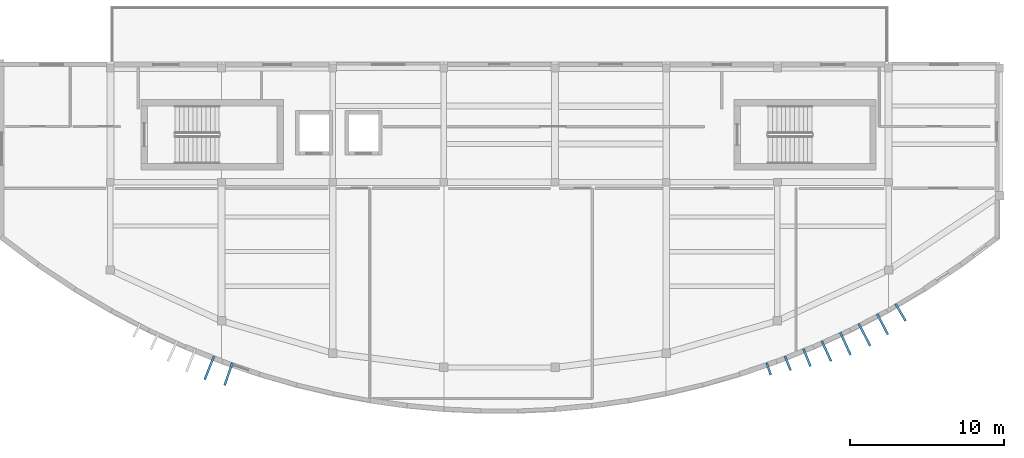
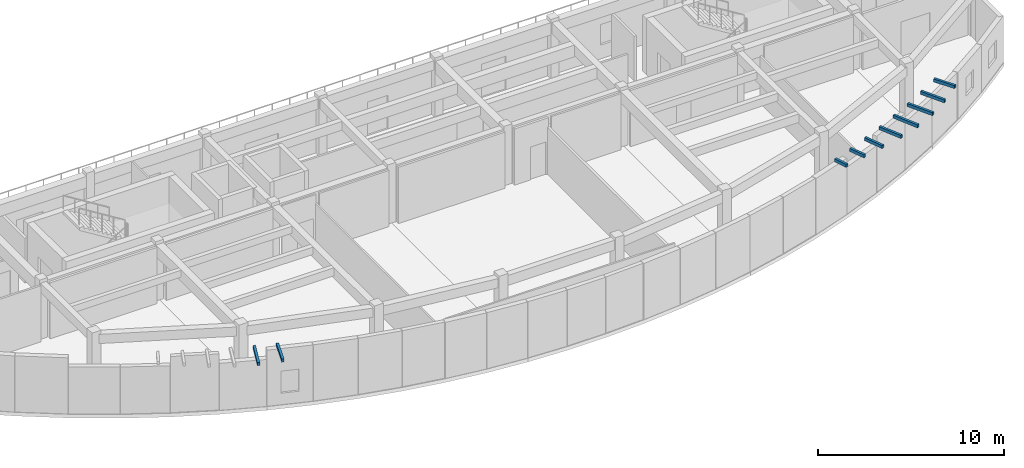
# One storey, part 8 of 11: 10 discrete accessories.
"""IFC4 building model written with IfcOpenShell, lengths in metres."""

from ifc_helpers import new_model, si_unit, direction, frame, origin, origin_2d, place, context, subcontext, project, spatial, rectangle, extrude, material, type_object, element, save


model = new_model("IFC4")

# Units and contexts
model_context = context("Model", 3, precision=1e-05, world=origin(), true_north=direction((0.0, 1.0)))
body_context = subcontext(model_context, "Body", "Model", "MODEL_VIEW")
ifc_project = project(units=[si_unit("LENGTHUNIT", "METRE"), si_unit("AREAUNIT", "SQUARE_METRE"), si_unit("VOLUMEUNIT", "CUBIC_METRE"), si_unit("PLANEANGLEUNIT", "RADIAN"), si_unit("MASSUNIT", "GRAM", prefix="KILO")], contexts=[model_context])

# Site, building, storey
site_placement = place(None, origin())
site = spatial("IfcSite", under=ifc_project, at=site_placement, CompositionType="ELEMENT")
building_placement = place(site_placement, origin())
building = spatial("IfcBuilding", under=site, at=building_placement, Name="Brisavento Harbour Community Centre", CompositionType="ELEMENT")
storey_placement = place(building_placement, frame((0.0, 0.0, 16.800048828125)))
storey = spatial("IfcBuildingStorey", under=building, at=storey_placement, Name="L04", CompositionType="ELEMENT", Elevation=16.800048828125)

# Discrete accessories
ifc_material = material(Name="Stainless steel 1.4401", Category="steel")
discrete_accessory_type = type_object("IfcDiscreteAccessoryType", Name="BRK-FIN-SS", PredefinedType="BRACKET", material=ifc_material)
discrete_accessory_1_placement = place(storey_placement, frame((121.6103515625, 2.976318359375, 3.68017578125), z_axis=(0.0, 0.0, 1.0), x_axis=(-0.369341311525, -0.92929381554, 0.0)))
element("IfcDiscreteAccessory", 1, at=discrete_accessory_1_placement, inside=storey, type_object=discrete_accessory_type, Name="Stainless-steel storm-fin bracket 105.6", PredefinedType="BRACKET", context=body_context, shape_type="SweptSolid", body=[
    extrude(rectangle(XDim=1.626220703125, YDim=0.139892578125, at=origin_2d()), origin(), (0.0, 0.0, 1.0), 0.199951171875),
])
discrete_accessory_2_placement = place(storey_placement, frame((122.849365234375, 2.568603515625, 3.68017578125), z_axis=(0.0, 0.0, 1.0), x_axis=(-0.323174264667, -0.94633947115, 0.0)))
element("IfcDiscreteAccessory", 2, at=discrete_accessory_2_placement, inside=storey, type_object=discrete_accessory_type, Name="Stainless-steel storm-fin bracket 106.6", PredefinedType="BRACKET", context=body_context, shape_type="SweptSolid", body=[
    extrude(rectangle(XDim=1.53271484375, YDim=0.139892578125, at=origin_2d()), origin(), (0.0, 0.0, 1.0), 0.199951171875),
])
discrete_accessory_3_placement = place(storey_placement, frame((157.83642578125, 2.903076171875, 3.68017578125), z_axis=(0.0, 0.0, 1.0), x_axis=(0.323174264667, -0.94633947115, 0.0)))
element("IfcDiscreteAccessory", 3, at=discrete_accessory_3_placement, inside=storey, type_object=discrete_accessory_type, Name="Stainless-steel storm-fin bracket 131.6", PredefinedType="BRACKET", context=body_context, shape_type="SweptSolid", body=[
    extrude(rectangle(XDim=0.82568359375, YDim=0.139892578125, at=origin_2d()), origin(), (0.0, 0.0, 1.0), 0.199951171875),
])
discrete_accessory_4_placement = place(storey_placement, frame((159.071044921875, 3.2744140625, 3.68017578125), z_axis=(0.0, 0.0, 1.0), x_axis=(0.369341311525, -0.92929381554, 0.0)))
element("IfcDiscreteAccessory", 4, at=discrete_accessory_4_placement, inside=storey, type_object=discrete_accessory_type, Name="Stainless-steel storm-fin bracket 132.6", PredefinedType="BRACKET", context=body_context, shape_type="SweptSolid", body=[
    extrude(rectangle(XDim=0.98486328125, YDim=0.139892578125, at=origin_2d()), origin(), (0.0, 0.0, 1.0), 0.199951171875),
])
discrete_accessory_5_placement = place(storey_placement, frame((160.313232421875, 3.645263671875, 3.68017578125), z_axis=(0.0, 0.0, 1.0), x_axis=(0.369341311525, -0.92929381554, 0.0)))
element("IfcDiscreteAccessory", 5, at=discrete_accessory_5_placement, inside=storey, type_object=discrete_accessory_type, Name="Stainless-steel storm-fin bracket 133.6", PredefinedType="BRACKET", context=body_context, shape_type="SweptSolid", body=[
    extrude(rectangle(XDim=1.212890625, YDim=0.139892578125, at=origin_2d()), origin(), (0.0, 0.0, 1.0), 0.199951171875),
])
discrete_accessory_6_placement = place(storey_placement, frame((161.57470703125, 4.060302734375, 3.68017578125), z_axis=(0.0, 0.0, 1.0), x_axis=(0.415518926407, -0.909584532519, 0.0)))
element("IfcDiscreteAccessory", 6, at=discrete_accessory_6_placement, inside=storey, type_object=discrete_accessory_type, Name="Stainless-steel storm-fin bracket 134.6", PredefinedType="BRACKET", context=body_context, shape_type="SweptSolid", body=[
    extrude(rectangle(XDim=1.44091796875, YDim=0.139892578125, at=origin_2d()), origin(), (0.0, 0.0, 1.0), 0.199951171875),
])
discrete_accessory_7_placement = place(storey_placement, frame((162.806884765625, 4.538330078125, 3.68017578125), z_axis=(0.0, 0.0, 1.0), x_axis=(0.415518926407, -0.909584532519, 0.0)))
element("IfcDiscreteAccessory", 7, at=discrete_accessory_7_placement, inside=storey, type_object=discrete_accessory_type, Name="Stainless-steel storm-fin bracket 135.6", PredefinedType="BRACKET", context=body_context, shape_type="SweptSolid", body=[
    extrude(rectangle(XDim=1.59521484375, YDim=0.139892578125, at=origin_2d()), origin(), (0.0, 0.0, 1.0), 0.199951171875),
])
discrete_accessory_8_placement = place(storey_placement, frame((164.036376953125, 5.123291015625, 3.68017578125), z_axis=(0.0, 0.0, 1.0), x_axis=(0.461702168823, -0.887035009063, 0.0)))
element("IfcDiscreteAccessory", 8, at=discrete_accessory_8_placement, inside=storey, type_object=discrete_accessory_type, Name="Stainless-steel storm-fin bracket 136.6", PredefinedType="BRACKET", context=body_context, shape_type="SweptSolid", body=[
    extrude(rectangle(XDim=1.623291015625, YDim=0.139892578125, at=origin_2d()), origin(), (0.0, 0.0, 1.0), 0.199951171875),
])
discrete_accessory_9_placement = place(storey_placement, frame((165.210205078125, 5.7978515625, 3.68017578125), z_axis=(0.0, 0.0, 1.0), x_axis=(0.461702168823, -0.887035009063, 0.0)))
element("IfcDiscreteAccessory", 9, at=discrete_accessory_9_placement, inside=storey, type_object=discrete_accessory_type, Name="Stainless-steel storm-fin bracket 137.6", PredefinedType="BRACKET", context=body_context, shape_type="SweptSolid", body=[
    extrude(rectangle(XDim=1.510986328125, YDim=0.139892578125, at=origin_2d()), origin(), (0.0, 0.0, 1.0), 0.199951171875),
])
discrete_accessory_10_placement = place(storey_placement, frame((166.375732421875, 6.570068359375, 3.68017578125), z_axis=(0.0, 0.0, 1.0), x_axis=(0.507869167385, -0.861434216188, 0.0)))
element("IfcDiscreteAccessory", 10, at=discrete_accessory_10_placement, inside=storey, type_object=discrete_accessory_type, Name="Stainless-steel storm-fin bracket 138.6", PredefinedType="BRACKET", context=body_context, shape_type="SweptSolid", body=[
    extrude(rectangle(XDim=1.29150390625, YDim=0.139892578125, at=origin_2d()), origin(), (0.0, 0.0, 1.0), 0.199951171875),
])

save(model, "model.ifc")
